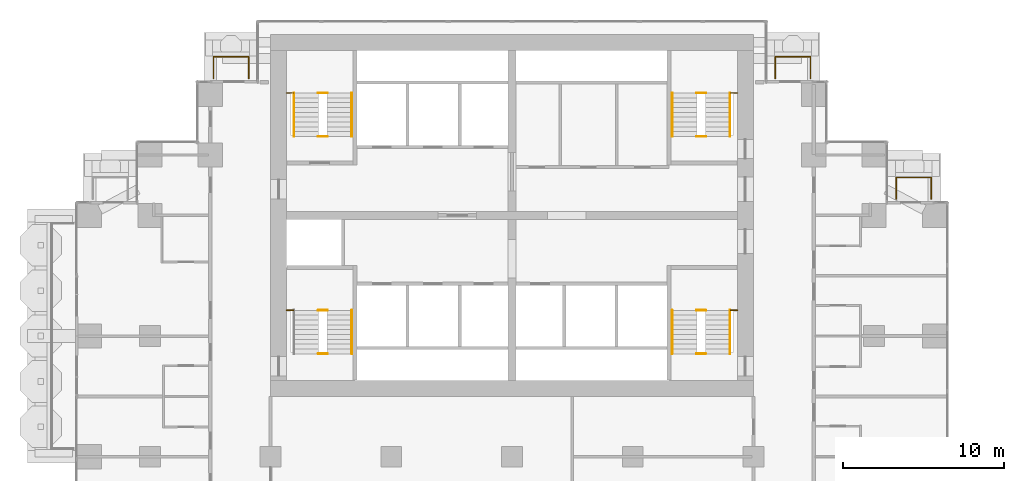
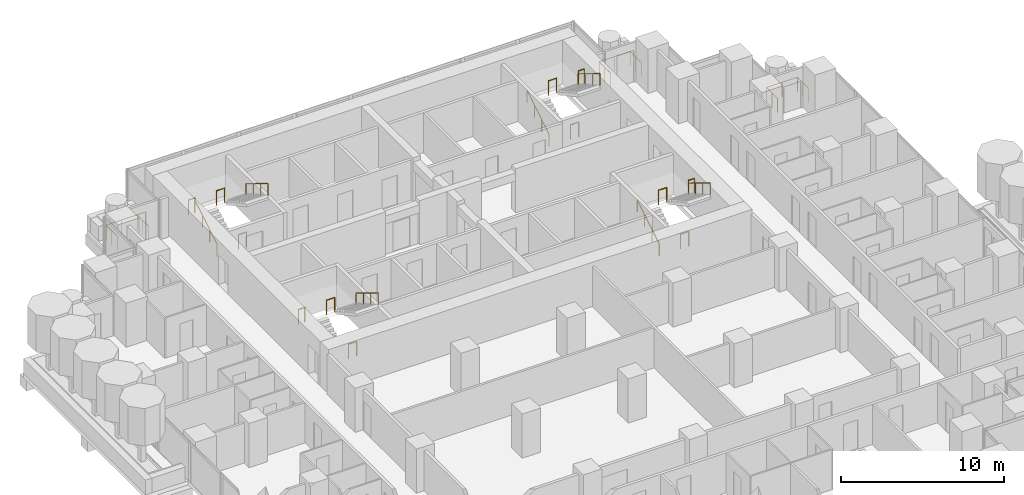
# One storey, part 17 of 18: 22 railings.
"""IFC4 building model written with IfcOpenShell, lengths in metres."""

from ifc_helpers import new_model, si_unit, direction, frame, origin, origin_2d, place, context, subcontext, project, spatial, circle, extrude, material, type_object, element, save


model = new_model("IFC4")

# Units and contexts
model_context = context("Model", 3, precision=1e-05, world=origin(), true_north=direction((0.0, 1.0)))
body_context = subcontext(model_context, "Body", "Model", "MODEL_VIEW")
ifc_project = project(units=[si_unit("LENGTHUNIT", "METRE"), si_unit("AREAUNIT", "SQUARE_METRE"), si_unit("VOLUMEUNIT", "CUBIC_METRE"), si_unit("PLANEANGLEUNIT", "RADIAN"), si_unit("MASSUNIT", "GRAM", prefix="KILO")], contexts=[model_context])

# Site, building, storey
site_placement = place(None, origin())
site = spatial("IfcSite", under=ifc_project, at=site_placement, CompositionType="ELEMENT")
building_placement = place(site_placement, origin())
building = spatial("IfcBuilding", under=site, at=building_placement, Name="Pilkhan Gate Tower", CompositionType="ELEMENT")
storey_placement = place(building_placement, frame((0.0, 0.0, 82.39990234375)))
storey = spatial("IfcBuildingStorey", under=building, at=storey_placement, Name="L19", CompositionType="ELEMENT", Elevation=82.39990234375)

# Railings
ifc_material_1 = material(Name="Pale anodised aluminium posts, laminated glass infill", Category="aluminium")
railing_type_1 = type_object("IfcRailingType", Name="Balcony guard G1", PredefinedType="BALUSTRADE", material=ifc_material_1)
for number, where, name in (
    (1, (56.449951171875, 91.0, 0.0), "Balcony guard L19 N"),
    (2, (91.35009765625, 91.0, 0.0), "Balcony guard L19 N"),
):
    element("IfcRailing", number, at=place(storey_placement, frame(where)), inside=storey, type_object=railing_type_1, Name=name, PredefinedType="BALUSTRADE", context=body_context, shape_type="SweptSolid", body=[
        extrude(circle(Radius=0.02392578125, at=origin_2d()), frame((0.0, 0.0, 1.076171875), z_axis=(0.0, 1.0, 0.0), x_axis=(-1.0, 0.0, 0.0)), (0.0, 0.0, 1.0), 1.35009765625),
        extrude(circle(Radius=0.02392578125, at=origin_2d()), frame((0.0, 1.35009765625, 1.076171875), z_axis=(1.0, 0.0, 0.0), x_axis=(0.0, 1.0, 0.0)), (0.0, 0.0, 1.0), 2.199951171875),
        extrude(circle(Radius=0.02392578125, at=origin_2d()), frame((2.199951171875, 1.35009765625, 1.076171875), z_axis=(0.0, -1.0, 0.0), x_axis=(1.0, 0.0, 0.0)), (0.0, 0.0, 1.0), 1.35009765625),
        extrude(circle(Radius=0.02099609375, at=origin_2d()), origin(), (0.0, 0.0, 1.0), 1.052001953125),
        extrude(circle(Radius=0.02099609375, at=origin_2d()), frame((0.0, 0.675048828125, 0.0)), (0.0, 0.0, 1.0), 1.052001953125),
        extrude(circle(Radius=0.02099609375, at=origin_2d()), frame((0.0, 1.35009765625, 0.0)), (0.0, 0.0, 1.0), 1.052001953125),
        extrude(circle(Radius=0.02099609375, at=origin_2d()), frame((1.10009765625, 1.35009765625, 0.0)), (0.0, 0.0, 1.0), 1.052001953125),
        extrude(circle(Radius=0.02099609375, at=origin_2d()), frame((2.199951171875, 1.35009765625, 0.0)), (0.0, 0.0, 1.0), 1.052001953125),
        extrude(circle(Radius=0.02099609375, at=origin_2d()), frame((2.199951171875, 0.675048828125, 0.0)), (0.0, 0.0, 1.0), 1.052001953125),
        extrude(circle(Radius=0.02099609375, at=origin_2d()), frame((2.199951171875, 0.0, 0.0)), (0.0, 0.0, 1.0), 1.052001953125),
    ])
railing_1_placement = place(storey_placement, frame((98.8701171875, 83.52001953125, 0.0)))
element("IfcRailing", 3, at=railing_1_placement, inside=storey, type_object=railing_type_1, Name="Balcony guard L19 N", PredefinedType="BALUSTRADE", context=body_context, shape_type="SweptSolid", body=[
    extrude(circle(Radius=0.02392578125, at=origin_2d()), frame((0.0, 0.0, 1.076171875), z_axis=(0.0, 1.0, 0.0), x_axis=(-1.0, 0.0, 0.0)), (0.0, 0.0, 1.0), 1.330078125),
    extrude(circle(Radius=0.02392578125, at=origin_2d()), frame((0.0, 1.330078125, 1.076171875), z_axis=(1.0, 0.0, 0.0), x_axis=(0.0, 1.0, 0.0)), (0.0, 0.0, 1.0), 2.179931640625),
    extrude(circle(Radius=0.02392578125, at=origin_2d()), frame((2.179931640625, 1.330078125, 1.076171875), z_axis=(0.0, -1.0, 0.0), x_axis=(1.0, 0.0, 0.0)), (0.0, 0.0, 1.0), 1.330078125),
    extrude(circle(Radius=0.02099609375, at=origin_2d()), origin(), (0.0, 0.0, 1.0), 1.052001953125),
    extrude(circle(Radius=0.02099609375, at=origin_2d()), frame((0.0, 0.6650390625, 0.0)), (0.0, 0.0, 1.0), 1.052001953125),
    extrude(circle(Radius=0.02099609375, at=origin_2d()), frame((0.0, 1.330078125, 0.0)), (0.0, 0.0, 1.0), 1.052001953125),
    extrude(circle(Radius=0.02099609375, at=origin_2d()), frame((1.08984375, 1.330078125, 0.0)), (0.0, 0.0, 1.0), 1.052001953125),
    extrude(circle(Radius=0.02099609375, at=origin_2d()), frame((2.179931640625, 1.330078125, 0.0)), (0.0, 0.0, 1.0), 1.052001953125),
    extrude(circle(Radius=0.02099609375, at=origin_2d()), frame((2.179931640625, 0.6650390625, 0.0)), (0.0, 0.0, 1.0), 1.052001953125),
    extrude(circle(Radius=0.02099609375, at=origin_2d()), frame((2.179931640625, 0.0, 0.0)), (0.0, 0.0, 1.0), 1.052001953125),
])
ifc_material_2 = material(Name="Black powder-coated steel tube", Category="steel")
railing_type_2 = type_object("IfcRailingType", Name="Stair handrail HR1", PredefinedType="HANDRAIL", material=ifc_material_2)
railing_2_placement = place(storey_placement, frame((84.949951171875, 73.89990234375, 0.0)))
element("IfcRailing", 4, at=railing_2_placement, inside=storey, type_object=railing_type_2, Name="Stair ST1 handrail L19", PredefinedType="HANDRAIL", context=body_context, shape_type="SweptSolid", body=[
    extrude(circle(Radius=0.02392578125, at=origin_2d()), frame((0.0, 0.0, 0.8759765625), z_axis=(0.0, 0.853278019476, 0.521456250781), x_axis=(-1.0, 0.0, 0.0)), (0.0, 0.0, 1.0), 3.16455078125),
    extrude(circle(Radius=0.02099609375, at=origin_2d()), origin(), (0.0, 0.0, 1.0), 0.851806640625),
    extrude(circle(Radius=0.02099609375, at=origin_2d()), frame((0.0, 0.900146484375, 0.550048828125)), (0.0, 0.0, 1.0), 0.851806640625),
    extrude(circle(Radius=0.02099609375, at=origin_2d()), frame((0.0, 1.800048828125, 1.10009765625)), (0.0, 0.0, 1.0), 0.851806640625),
    extrude(circle(Radius=0.02099609375, at=origin_2d()), frame((0.0, 2.7001953125, 1.650146484375)), (0.0, 0.0, 1.0), 0.851806640625),
])
for number, where, name in (
    (5, (88.550048828125, 76.60009765625, 1.650146484375), "Stair ST1 handrail L19"),
    (6, (65.050048828125, 76.60009765625, 1.650146484375), "Stair ST2 handrail L19"),
):
    element("IfcRailing", number, at=place(storey_placement, frame(where)), inside=storey, type_object=railing_type_2, Name=name, PredefinedType="HANDRAIL", context=body_context, shape_type="SweptSolid", body=[
        extrude(circle(Radius=0.02392578125, at=origin_2d()), frame((0.0, 0.0, 0.8759765625), z_axis=(0.0, -0.853312346642, 0.521400075823), x_axis=(1.0, 0.0, 0.0)), (0.0, 0.0, 1.0), 3.164306640625),
        extrude(circle(Radius=0.02099609375, at=origin_2d()), origin(), (0.0, 0.0, 1.0), 0.851806640625),
        extrude(circle(Radius=0.02099609375, at=origin_2d()), frame((0.0, -0.900146484375, 0.550048828125)), (0.0, 0.0, 1.0), 0.851806640625),
        extrude(circle(Radius=0.02099609375, at=origin_2d()), frame((0.0, -1.800048828125, 1.099853515625)), (0.0, 0.0, 1.0), 0.851806640625),
        extrude(circle(Radius=0.02099609375, at=origin_2d()), frame((0.0, -2.7001953125, 1.64990234375)), (0.0, 0.0, 1.0), 0.851806640625),
    ])
railing_3_placement = place(storey_placement, frame((61.449951171875, 87.39990234375, 0.0)))
element("IfcRailing", 7, at=railing_3_placement, inside=storey, type_object=railing_type_2, Name="Stair ST3 handrail L19", PredefinedType="HANDRAIL", context=body_context, shape_type="SweptSolid", body=[
    extrude(circle(Radius=0.02392578125, at=origin_2d()), frame((0.0, 0.0, 0.8759765625), z_axis=(0.0, 0.853278019476, 0.521456250781), x_axis=(-1.0, 0.0, 0.0)), (0.0, 0.0, 1.0), 3.16455078125),
    extrude(circle(Radius=0.02099609375, at=origin_2d()), origin(), (0.0, 0.0, 1.0), 0.851806640625),
    extrude(circle(Radius=0.02099609375, at=origin_2d()), frame((0.0, 0.900146484375, 0.550048828125)), (0.0, 0.0, 1.0), 0.851806640625),
    extrude(circle(Radius=0.02099609375, at=origin_2d()), frame((0.0, 1.800048828125, 1.10009765625)), (0.0, 0.0, 1.0), 0.851806640625),
    extrude(circle(Radius=0.02099609375, at=origin_2d()), frame((0.0, 2.7001953125, 1.650146484375)), (0.0, 0.0, 1.0), 0.851806640625),
])
railing_4_placement = place(storey_placement, frame((65.050048828125, 90.10009765625, 1.650146484375)))
element("IfcRailing", 8, at=railing_4_placement, inside=storey, type_object=railing_type_2, Name="Stair ST3 handrail L19", PredefinedType="HANDRAIL", context=body_context, shape_type="SweptSolid", body=[
    extrude(circle(Radius=0.02392578125, at=origin_2d()), frame((0.0, 0.0, 0.8759765625), z_axis=(0.0, -0.853312346642, 0.521400075823), x_axis=(1.0, 0.0, 0.0)), (0.0, 0.0, 1.0), 3.164306640625),
    extrude(circle(Radius=0.02099609375, at=origin_2d()), origin(), (0.0, 0.0, 1.0), 0.851806640625),
    extrude(circle(Radius=0.02099609375, at=origin_2d()), frame((0.0, -0.900146484375, 0.550048828125)), (0.0, 0.0, 1.0), 0.851806640625),
    extrude(circle(Radius=0.02099609375, at=origin_2d()), frame((0.0, -1.800048828125, 1.099853515625)), (0.0, 0.0, 1.0), 0.851806640625),
    extrude(circle(Radius=0.02099609375, at=origin_2d()), frame((0.0, -2.7001953125, 1.64990234375)), (0.0, 0.0, 1.0), 0.851806640625),
])
railing_5_placement = place(storey_placement, frame((84.949951171875, 87.39990234375, 0.0)))
element("IfcRailing", 9, at=railing_5_placement, inside=storey, type_object=railing_type_2, Name="Stair ST4 handrail L19", PredefinedType="HANDRAIL", context=body_context, shape_type="SweptSolid", body=[
    extrude(circle(Radius=0.02392578125, at=origin_2d()), frame((0.0, 0.0, 0.8759765625), z_axis=(0.0, 0.853278019476, 0.521456250781), x_axis=(-1.0, 0.0, 0.0)), (0.0, 0.0, 1.0), 3.16455078125),
    extrude(circle(Radius=0.02099609375, at=origin_2d()), origin(), (0.0, 0.0, 1.0), 0.851806640625),
    extrude(circle(Radius=0.02099609375, at=origin_2d()), frame((0.0, 0.900146484375, 0.550048828125)), (0.0, 0.0, 1.0), 0.851806640625),
    extrude(circle(Radius=0.02099609375, at=origin_2d()), frame((0.0, 1.800048828125, 1.10009765625)), (0.0, 0.0, 1.0), 0.851806640625),
    extrude(circle(Radius=0.02099609375, at=origin_2d()), frame((0.0, 2.7001953125, 1.650146484375)), (0.0, 0.0, 1.0), 0.851806640625),
])
railing_6_placement = place(storey_placement, frame((88.550048828125, 90.10009765625, 1.650146484375)))
element("IfcRailing", 10, at=railing_6_placement, inside=storey, type_object=railing_type_2, Name="Stair ST4 handrail L19", PredefinedType="HANDRAIL", context=body_context, shape_type="SweptSolid", body=[
    extrude(circle(Radius=0.02392578125, at=origin_2d()), frame((0.0, 0.0, 0.8759765625), z_axis=(0.0, -0.853312346642, 0.521400075823), x_axis=(1.0, 0.0, 0.0)), (0.0, 0.0, 1.0), 3.164306640625),
    extrude(circle(Radius=0.02099609375, at=origin_2d()), origin(), (0.0, 0.0, 1.0), 0.851806640625),
    extrude(circle(Radius=0.02099609375, at=origin_2d()), frame((0.0, -0.900146484375, 0.550048828125)), (0.0, 0.0, 1.0), 0.851806640625),
    extrude(circle(Radius=0.02099609375, at=origin_2d()), frame((0.0, -1.800048828125, 1.099853515625)), (0.0, 0.0, 1.0), 0.851806640625),
    extrude(circle(Radius=0.02099609375, at=origin_2d()), frame((0.0, -2.7001953125, 1.64990234375)), (0.0, 0.0, 1.0), 0.851806640625),
])
ifc_material_3 = material(Name="Black powder-coated steel balusters", Category="steel")
railing_type_3 = type_object("IfcRailingType", Name="Stair well guard G3", PredefinedType="GUARDRAIL", material=ifc_material_3)
railing_7_placement = place(storey_placement, frame((88.580078125, 76.60009765625, 1.650146484375)))
element("IfcRailing", 11, at=railing_7_placement, inside=storey, type_object=railing_type_3, Name="Stair ST1 well guard L19", PredefinedType="GUARDRAIL", context=body_context, shape_type="SweptSolid", body=[
    extrude(circle(Radius=0.02392578125, at=origin_2d()), frame((0.0, 0.0, 1.076171875), z_axis=(1.0, 0.0, 0.0), x_axis=(0.0, 1.0, 0.0)), (0.0, 0.0, 1.0), 0.43994140625),
    extrude(circle(Radius=0.02099609375, at=origin_2d()), origin(), (0.0, 0.0, 1.0), 1.052001953125),
    extrude(circle(Radius=0.02099609375, at=origin_2d()), frame((0.43994140625, 0.0, 0.0)), (0.0, 0.0, 1.0), 1.052001953125),
])
for number, where, name in (
    (12, (86.4599609375, 73.89990234375, 0.0), "Stair ST1 well guard L19"),
    (13, (86.4599609375, 76.60009765625, 1.650146484375), "Stair ST1 well guard L19"),
):
    element("IfcRailing", number, at=place(storey_placement, frame(where)), inside=storey, type_object=railing_type_3, Name=name, PredefinedType="GUARDRAIL", context=body_context, shape_type="SweptSolid", body=[
        extrude(circle(Radius=0.02392578125, at=origin_2d()), frame((0.0, 0.0, 1.076171875), z_axis=(1.0, 0.0, 0.0), x_axis=(0.0, 1.0, 0.0)), (0.0, 0.0, 1.0), 0.580078125),
        extrude(circle(Radius=0.02099609375, at=origin_2d()), origin(), (0.0, 0.0, 1.0), 1.052001953125),
        extrude(circle(Radius=0.02099609375, at=origin_2d()), frame((0.580078125, 0.0, 0.0)), (0.0, 0.0, 1.0), 1.052001953125),
    ])
railing_8_placement = place(storey_placement, frame((60.97998046875, 76.60009765625, 1.650146484375)))
element("IfcRailing", 14, at=railing_8_placement, inside=storey, type_object=railing_type_3, Name="Stair ST2 well guard L19", PredefinedType="GUARDRAIL", context=body_context, shape_type="SweptSolid", body=[
    extrude(circle(Radius=0.02392578125, at=origin_2d()), frame((0.0, 0.0, 1.076171875), z_axis=(1.0, 0.0, 0.0), x_axis=(0.0, 1.0, 0.0)), (0.0, 0.0, 1.0), 0.43994140625),
    extrude(circle(Radius=0.02099609375, at=origin_2d()), origin(), (0.0, 0.0, 1.0), 1.052001953125),
    extrude(circle(Radius=0.02099609375, at=origin_2d()), frame((0.43994140625, 0.0, 0.0)), (0.0, 0.0, 1.0), 1.052001953125),
])
for number, where, name in (
    (15, (62.9599609375, 73.89990234375, 0.0), "Stair ST2 well guard L19"),
    (16, (62.9599609375, 76.60009765625, 1.650146484375), "Stair ST2 well guard L19"),
):
    element("IfcRailing", number, at=place(storey_placement, frame(where)), inside=storey, type_object=railing_type_3, Name=name, PredefinedType="GUARDRAIL", context=body_context, shape_type="SweptSolid", body=[
        extrude(circle(Radius=0.02392578125, at=origin_2d()), frame((0.0, 0.0, 1.076171875), z_axis=(1.0, 0.0, 0.0), x_axis=(0.0, 1.0, 0.0)), (0.0, 0.0, 1.0), 0.580078125),
        extrude(circle(Radius=0.02099609375, at=origin_2d()), origin(), (0.0, 0.0, 1.0), 1.052001953125),
        extrude(circle(Radius=0.02099609375, at=origin_2d()), frame((0.580078125, 0.0, 0.0)), (0.0, 0.0, 1.0), 1.052001953125),
    ])
railing_9_placement = place(storey_placement, frame((60.97998046875, 90.10009765625, 1.650146484375)))
element("IfcRailing", 17, at=railing_9_placement, inside=storey, type_object=railing_type_3, Name="Stair ST3 well guard L19", PredefinedType="GUARDRAIL", context=body_context, shape_type="SweptSolid", body=[
    extrude(circle(Radius=0.02392578125, at=origin_2d()), frame((0.0, 0.0, 1.076171875), z_axis=(1.0, 0.0, 0.0), x_axis=(0.0, 1.0, 0.0)), (0.0, 0.0, 1.0), 0.43994140625),
    extrude(circle(Radius=0.02099609375, at=origin_2d()), origin(), (0.0, 0.0, 1.0), 1.052001953125),
    extrude(circle(Radius=0.02099609375, at=origin_2d()), frame((0.43994140625, 0.0, 0.0)), (0.0, 0.0, 1.0), 1.052001953125),
])
for number, where, name in (
    (18, (62.9599609375, 87.39990234375, 0.0), "Stair ST3 well guard L19"),
    (19, (62.9599609375, 90.10009765625, 1.650146484375), "Stair ST3 well guard L19"),
):
    element("IfcRailing", number, at=place(storey_placement, frame(where)), inside=storey, type_object=railing_type_3, Name=name, PredefinedType="GUARDRAIL", context=body_context, shape_type="SweptSolid", body=[
        extrude(circle(Radius=0.02392578125, at=origin_2d()), frame((0.0, 0.0, 1.076171875), z_axis=(1.0, 0.0, 0.0), x_axis=(0.0, 1.0, 0.0)), (0.0, 0.0, 1.0), 0.580078125),
        extrude(circle(Radius=0.02099609375, at=origin_2d()), origin(), (0.0, 0.0, 1.0), 1.052001953125),
        extrude(circle(Radius=0.02099609375, at=origin_2d()), frame((0.580078125, 0.0, 0.0)), (0.0, 0.0, 1.0), 1.052001953125),
    ])
railing_10_placement = place(storey_placement, frame((88.580078125, 90.10009765625, 1.650146484375)))
element("IfcRailing", 20, at=railing_10_placement, inside=storey, type_object=railing_type_3, Name="Stair ST4 well guard L19", PredefinedType="GUARDRAIL", context=body_context, shape_type="SweptSolid", body=[
    extrude(circle(Radius=0.02392578125, at=origin_2d()), frame((0.0, 0.0, 1.076171875), z_axis=(1.0, 0.0, 0.0), x_axis=(0.0, 1.0, 0.0)), (0.0, 0.0, 1.0), 0.43994140625),
    extrude(circle(Radius=0.02099609375, at=origin_2d()), origin(), (0.0, 0.0, 1.0), 1.052001953125),
    extrude(circle(Radius=0.02099609375, at=origin_2d()), frame((0.43994140625, 0.0, 0.0)), (0.0, 0.0, 1.0), 1.052001953125),
])
for number, where, name in (
    (21, (86.4599609375, 87.39990234375, 0.0), "Stair ST4 well guard L19"),
    (22, (86.4599609375, 90.10009765625, 1.650146484375), "Stair ST4 well guard L19"),
):
    element("IfcRailing", number, at=place(storey_placement, frame(where)), inside=storey, type_object=railing_type_3, Name=name, PredefinedType="GUARDRAIL", context=body_context, shape_type="SweptSolid", body=[
        extrude(circle(Radius=0.02392578125, at=origin_2d()), frame((0.0, 0.0, 1.076171875), z_axis=(1.0, 0.0, 0.0), x_axis=(0.0, 1.0, 0.0)), (0.0, 0.0, 1.0), 0.580078125),
        extrude(circle(Radius=0.02099609375, at=origin_2d()), origin(), (0.0, 0.0, 1.0), 1.052001953125),
        extrude(circle(Radius=0.02099609375, at=origin_2d()), frame((0.580078125, 0.0, 0.0)), (0.0, 0.0, 1.0), 1.052001953125),
    ])

save(model, "model.ifc")
